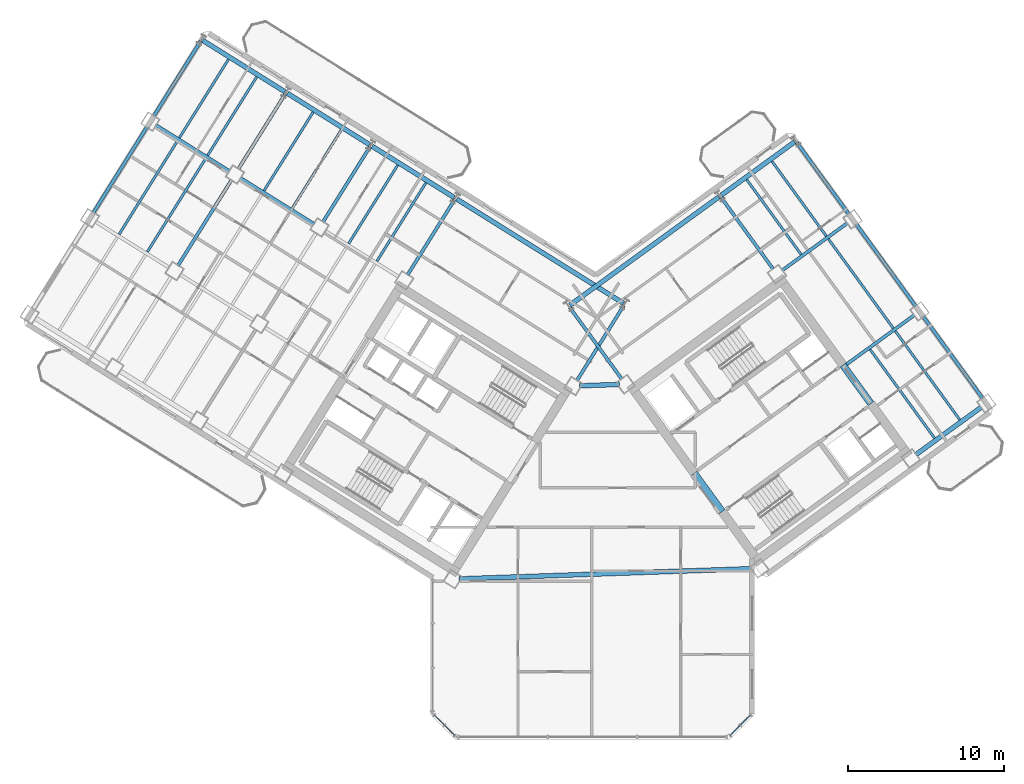
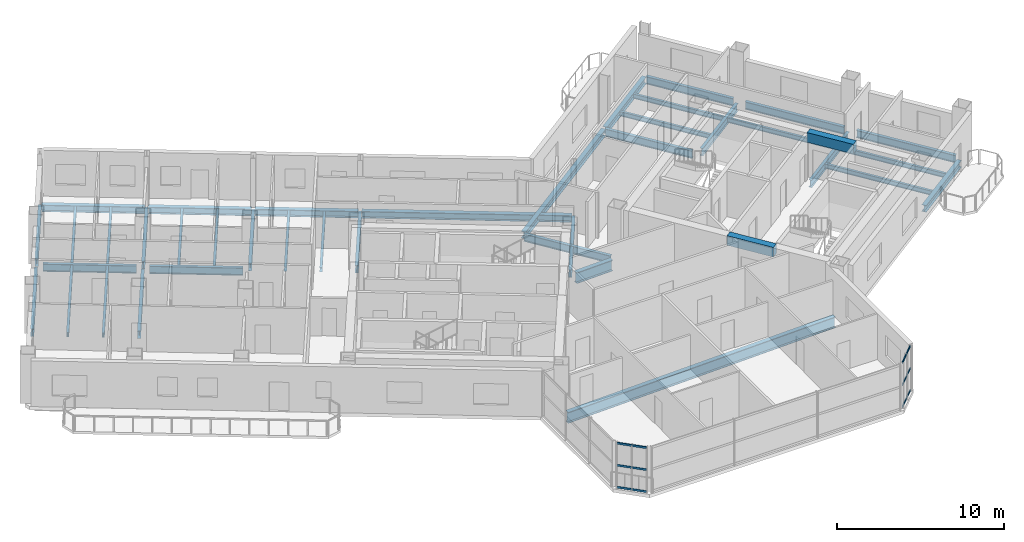
# One storey, part 7 of 20: 40 beams, 12 members, 2 elements without a shape of their own.
"""IFC4 building model written with IfcOpenShell, lengths in metres."""

from ifc_helpers import new_model, si_unit, direction, frame, origin, origin_2d, place, context, subcontext, project, spatial, rectangle, hollow_rectangle, i_section, extrude, source, transform, mapped, material, material_profile, profile_set, type_object, element, aggregate, save


model = new_model("IFC4")

# Units and contexts
model_context = context("Model", 3, precision=1e-05, world=origin(), true_north=direction((0.0, 1.0)))
body_context = subcontext(model_context, "Body", "Model", "MODEL_VIEW")
ifc_project = project(units=[si_unit("LENGTHUNIT", "METRE"), si_unit("AREAUNIT", "SQUARE_METRE"), si_unit("VOLUMEUNIT", "CUBIC_METRE"), si_unit("PLANEANGLEUNIT", "RADIAN"), si_unit("MASSUNIT", "GRAM", prefix="KILO")], contexts=[model_context])

# Site, building, storey
site_placement = place(None, origin())
site = spatial("IfcSite", under=ifc_project, at=site_placement, CompositionType="ELEMENT")
building_placement = place(site_placement, origin())
building = spatial("IfcBuilding", under=site, at=building_placement, Name="Tlacorven Tower", CompositionType="ELEMENT")
storey_placement = place(building_placement, frame((0.0, 0.0, 116.10009765625)))
storey = spatial("IfcBuildingStorey", under=building, at=storey_placement, Name="L29", CompositionType="ELEMENT", Elevation=116.10009765625)

# Beams
ifc_material_1 = material(Name="Concrete C60/75", Category="concrete")
ifc_material_profile_1 = material_profile(ifc_material_1, rectangle(XDim=0.449951171875, YDim=0.699951171875, at=origin_2d()), Name="RC 450X700")
ifc_profile_set_1 = profile_set([ifc_material_profile_1], Name="Concrete C60/75")
beam_type_1 = type_object("IfcBeamType", Name="BM-LNT-700", PredefinedType="LINTEL", material=ifc_profile_set_1)
shared_shape_1 = source(origin(), body_context, "Body", "SweptSolid", [
    extrude(rectangle(XDim=0.449951171875, YDim=0.699951171875, at=origin_2d()), origin(), (0.0, 0.0, 1.0), 3.050048828125),
])
for number, where, z_axis, x_axis, name in (
    (1, (50.318359375, 16.416015625, 3.0), (-0.587776590479, 0.80902328748, 0.0), (-0.80902328748, -0.587776590479, 0.0), "L29 E core coupling lintel beam E1"),
    (2, (59.856689453125, 23.345947265625, 3.0), (-0.587776590479, 0.80902328748, 0.0), (-0.80902328748, -0.587776590479, 0.0), "L29 E core coupling lintel beam E2"),
):
    element("IfcBeam", number, at=place(storey_placement, frame(where, z_axis=z_axis, x_axis=x_axis)), inside=storey, type_object=beam_type_1, Name=name, PredefinedType="LINTEL", context=body_context, shape_type="MappedRepresentation", body=[
        mapped(shared_shape_1, transform((0.0, 0.0, 0.0), scale=1.0)),
    ])
ifc_material_2 = material(Name="Steel S355J2", Category="steel")
ifc_material_profile_2 = material_profile(ifc_material_2, i_section(OverallWidth=0.300048828125, OverallDepth=0.489990234375, WebThickness=0.011962890625, FlangeThickness=0.02294921875, at=origin_2d()), Name="HEA 500")
ifc_profile_set_2 = profile_set([ifc_material_profile_2], Name="Steel S355J2")
beam_type_2 = type_object("IfcBeamType", Name="BM-SPN-500", PredefinedType="SPANDREL", material=ifc_profile_set_2)
shared_shape_2 = source(origin(), body_context, "Body", "SweptSolid", [
    extrude(i_section(OverallWidth=0.300048828125, OverallDepth=0.489990234375, WebThickness=0.011962890625, FlangeThickness=0.02294921875, at=origin_2d()), origin(), (0.0, 0.0, 1.0), 12.599853515625),
])
beam_1_placement = place(storey_placement, frame((43.983642578125, 29.779296875, -0.4951171875), z_axis=(-0.848045108756, 0.529924045043, 0.0), x_axis=(-0.529924045043, -0.848045108756, 0.0)))
element("IfcBeam", 3, at=beam_1_placement, inside=storey, type_object=beam_type_2, Name="L29 beam BM-L29-WL1-1", PredefinedType="SPANDREL", context=body_context, shape_type="MappedRepresentation", body=[
    mapped(shared_shape_2, transform((0.0, 0.0, 0.0), scale=1.0)),
])
shared_shape_3 = source(origin(), body_context, "Body", "SweptSolid", [
    extrude(i_section(OverallWidth=0.300048828125, OverallDepth=0.489990234375, WebThickness=0.011962890625, FlangeThickness=0.02294921875, at=origin_2d()), origin(), (0.0, 0.0, 1.0), 6.199951171875),
])
beam_2_placement = place(storey_placement, frame((33.128662109375, 36.562255859375, -0.4951171875), z_axis=(-0.848051394107, 0.529913986372, 0.0), x_axis=(-0.529913986372, -0.848051394107, 0.0)))
element("IfcBeam", 4, at=beam_2_placement, inside=storey, type_object=beam_type_2, Name="L29 beam BM-L29-WL1-3", PredefinedType="SPANDREL", context=body_context, shape_type="MappedRepresentation", body=[
    mapped(shared_shape_3, transform((0.0, 0.0, 0.0), scale=1.0)),
])
shared_shape_4 = source(origin(), body_context, "Body", "SweptSolid", [
    extrude(i_section(OverallWidth=0.300048828125, OverallDepth=0.489990234375, WebThickness=0.011962890625, FlangeThickness=0.02294921875, at=origin_2d()), origin(), (0.0, 0.0, 1.0), 11.800048828125),
])
beam_3_placement = place(storey_placement, frame((40.560302734375, 29.65966796875, -0.4951171875), z_axis=(0.80900977213, 0.587795192732, 0.0), x_axis=(-0.587795192732, 0.80900977213, 0.0)))
element("IfcBeam", 5, at=beam_3_placement, inside=storey, type_object=beam_type_2, Name="L29 beam BM-L29-EL4-1", PredefinedType="SPANDREL", context=body_context, shape_type="MappedRepresentation", body=[
    mapped(shared_shape_4, transform((0.0, 0.0, 0.0), scale=1.0)),
])
shared_shape_5 = source(origin(), body_context, "Body", "SweptSolid", [
    extrude(i_section(OverallWidth=0.300048828125, OverallDepth=0.489990234375, WebThickness=0.011962890625, FlangeThickness=0.02294921875, at=origin_2d()), origin(), (0.0, 0.0, 1.0), 5.800048828125),
])
beam_4_placement = place(storey_placement, frame((50.2685546875, 36.713134765625, -0.4951171875), z_axis=(0.809019944521, 0.587781191743, 0.0), x_axis=(-0.587781191743, 0.809019944521, 0.0)))
element("IfcBeam", 6, at=beam_4_placement, inside=storey, type_object=beam_type_2, Name="L29 beam BM-L29-EL4-3", PredefinedType="SPANDREL", context=body_context, shape_type="MappedRepresentation", body=[
    mapped(shared_shape_5, transform((0.0, 0.0, 0.0), scale=1.0)),
])
shared_shape_6 = source(origin(), body_context, "Body", "SweptSolid", [
    extrude(i_section(OverallWidth=0.300048828125, OverallDepth=0.489990234375, WebThickness=0.011962890625, FlangeThickness=0.02294921875, at=origin_2d()), origin(), (0.0, 0.0, 1.0), 6.2001953125),
])
for number, where, z_axis, x_axis, name in (
    (7, (27.701171875, 39.95361328125, -0.4951171875), (-0.84804475579, 0.5299246099, 0.0), (-0.5299246099, -0.84804475579, 0.0), "L29 beam BM-L29-WL1-4"),
    (8, (22.273681640625, 43.34521484375, -0.4951171875), (-0.848062451332, 0.529896290457, 0.0), (-0.529896290457, -0.848062451332, 0.0), "L29 beam BM-L29-WL1-5"),
):
    element("IfcBeam", number, at=place(storey_placement, frame(where, z_axis=z_axis, x_axis=x_axis)), inside=storey, type_object=beam_type_2, Name=name, PredefinedType="SPANDREL", context=body_context, shape_type="MappedRepresentation", body=[
        mapped(shared_shape_6, transform((0.0, 0.0, 0.0), scale=1.0)),
    ])
ifc_material_profile_3 = material_profile(ifc_material_2, i_section(OverallWidth=0.2099609375, OverallDepth=0.550048828125, WebThickness=0.010986328125, FlangeThickness=0.01708984375, at=origin_2d()), Name="IPE 550")
ifc_profile_set_3 = profile_set([ifc_material_profile_3], Name="Steel S355J2")
beam_type_3 = type_object("IfcBeamType", Name="BM-TWR-550", PredefinedType="BEAM", material=ifc_profile_set_3)
shared_shape_7 = source(origin(), body_context, "Body", "SweptSolid", [
    extrude(i_section(OverallWidth=0.2099609375, OverallDepth=0.550048828125, WebThickness=0.010986328125, FlangeThickness=0.01708984375, at=origin_2d()), origin(), (0.0, 0.0, 1.0), 5.599853515625),
])
for number, where, z_axis, x_axis, name in (
    (9, (24.1611328125, 34.854736328125, -0.525146484375), (-0.848047285686, 0.529920561254, 0.0), (-0.529920561254, -0.848047285686, 0.0), "L29 beam BM-L29-WL2-4"),
    (10, (18.733642578125, 38.246337890625, -0.525146484375), (-0.848047285686, 0.529920561254, 0.0), (-0.529920561254, -0.848047285686, 0.0), "L29 beam BM-L29-WL2-5"),
):
    element("IfcBeam", number, at=place(storey_placement, frame(where, z_axis=z_axis, x_axis=x_axis)), inside=storey, type_object=beam_type_3, Name=name, PredefinedType="BEAM", context=body_context, shape_type="MappedRepresentation", body=[
        mapped(shared_shape_7, transform((0.0, 0.0, 0.0), scale=1.0)),
    ])
shared_shape_8 = source(origin(), body_context, "Body", "SweptSolid", [
    extrude(i_section(OverallWidth=0.2099609375, OverallDepth=0.550048828125, WebThickness=0.010986328125, FlangeThickness=0.01708984375, at=origin_2d()), origin(), (0.0, 0.0, 1.0), 5.7001953125),
])
for number, where, z_axis, x_axis, name in (
    (11, (44.015380859375, 29.6416015625, -0.525146484375), (-0.529906537151, -0.848056048787, 0.0), (0.848056048787, -0.529906537151, 0.0), "L29 beam BM-L29-WT1-1"),
    (12, (33.160400390625, 36.424560546875, -0.525146484375), (-0.529906537151, -0.848056048787, 0.0), (0.848056048787, -0.529906537151, 0.0), "L29 beam BM-L29-WT3-1"),
    (13, (22.305419921875, 43.20751953125, -0.525146484375), (-0.529906537151, -0.848056048787, 0.0), (0.848056048787, -0.529906537151, 0.0), "L29 beam BM-L29-WT5-1"),
):
    element("IfcBeam", number, at=place(storey_placement, frame(where, z_axis=z_axis, x_axis=x_axis)), inside=storey, type_object=beam_type_3, Name=name, PredefinedType="BEAM", context=body_context, shape_type="MappedRepresentation", body=[
        mapped(shared_shape_8, transform((0.0, 0.0, 0.0), scale=1.0)),
    ])
shared_shape_9 = source(origin(), body_context, "Body", "SweptSolid", [
    extrude(i_section(OverallWidth=0.2099609375, OverallDepth=0.550048828125, WebThickness=0.010986328125, FlangeThickness=0.01708984375, at=origin_2d()), origin(), (0.0, 0.0, 1.0), 5.699951171875),
])
for number, where, z_axis, x_axis, name in (
    (14, (27.73291015625, 39.81591796875, -0.525146484375), (-0.529925785607, -0.848044021115, 0.0), (0.848044021115, -0.529925785607, 0.0), "L29 beam BM-L29-WT4-1"),
    (15, (16.8779296875, 46.598876953125, -0.525146484375), (-0.529925785607, -0.848044021115, 0.0), (0.848044021115, -0.529925785607, 0.0), "L29 beam BM-L29-WT6-1"),
    (16, (43.888671875, 24.90869140625, -0.525146484375), (-0.587787066966, 0.809015675935, 0.0), (-0.809015675935, -0.587787066966, 0.0), "L29 beam BM-L29-ET1-2"),
    (17, (53.596923828125, 31.962158203125, -0.525146484375), (-0.587787066966, 0.809015675935, 0.0), (-0.809015675935, -0.587787066966, 0.0), "L29 beam BM-L29-ET3-2"),
    (18, (58.450927734375, 35.48876953125, -0.525146484375), (-0.587787066966, 0.809015675935, 0.0), (-0.809015675935, -0.587787066966, 0.0), "L29 beam BM-L29-ET4-3"),
):
    element("IfcBeam", number, at=place(storey_placement, frame(where, z_axis=z_axis, x_axis=x_axis)), inside=storey, type_object=beam_type_3, Name=name, PredefinedType="BEAM", context=body_context, shape_type="MappedRepresentation", body=[
        mapped(shared_shape_9, transform((0.0, 0.0, 0.0), scale=1.0)),
    ])
shared_shape_10 = source(origin(), body_context, "Body", "SweptSolid", [
    extrude(i_section(OverallWidth=0.2099609375, OverallDepth=0.550048828125, WebThickness=0.010986328125, FlangeThickness=0.01708984375, at=origin_2d()), origin(), (0.0, 0.0, 1.0), 6.5),
])
for number, where, z_axis, x_axis, name in (
    (19, (13.433349609375, 41.086669921875, -0.525146484375), (-0.529894274829, -0.848063710757, 0.0), (0.848063710757, -0.529894274829, 0.0), "L29 beam BM-L29-WT6-2"),
    (20, (67.03271484375, 23.67724609375, -0.525146484375), (-0.587809847215, 0.808999124547, 0.0), (-0.808999124547, -0.587809847215, 0.0), "L29 beam BM-L29-ET4-1"),
    (21, (62.74169921875, 29.5830078125, -0.525146484375), (-0.587785264321, 0.809016985636, 0.0), (-0.809016985636, -0.587785264321, 0.0), "L29 beam BM-L29-ET4-2"),
):
    element("IfcBeam", number, at=place(storey_placement, frame(where, z_axis=z_axis, x_axis=x_axis)), inside=storey, type_object=beam_type_3, Name=name, PredefinedType="BEAM", context=body_context, shape_type="MappedRepresentation", body=[
        mapped(shared_shape_10, transform((0.0, 0.0, 0.0), scale=1.0)),
    ])
shared_shape_11 = source(origin(), body_context, "Body", "SweptSolid", [
    extrude(i_section(OverallWidth=0.2099609375, OverallDepth=0.550048828125, WebThickness=0.010986328125, FlangeThickness=0.01708984375, at=origin_2d()), origin(), (0.0, 0.0, 1.0), 6.499755859375),
])
beam_5_placement = place(storey_placement, frame((18.86083984375, 37.695068359375, -0.525146484375), z_axis=(-0.529911154058, -0.848053163902, 0.0), x_axis=(0.848053163902, -0.529911154058, 0.0)))
element("IfcBeam", 22, at=beam_5_placement, inside=storey, type_object=beam_type_3, Name="L29 beam BM-L29-WT5-2", PredefinedType="BEAM", context=body_context, shape_type="MappedRepresentation", body=[
    mapped(shared_shape_11, transform((0.0, 0.0, 0.0), scale=1.0)),
])
shared_shape_12 = source(origin(), body_context, "Body", "SweptSolid", [
    extrude(i_section(OverallWidth=0.300048828125, OverallDepth=0.489990234375, WebThickness=0.011962890625, FlangeThickness=0.02294921875, at=origin_2d()), origin(), (0.0, 0.0, 1.0), 5.199951171875),
])
beam_6_placement = place(storey_placement, frame((62.7373046875, 20.06201171875, -0.4951171875), z_axis=(0.809018206713, 0.587783583648, 0.0), x_axis=(-0.587783583648, 0.809018206713, 0.0)))
element("IfcBeam", 23, at=beam_6_placement, inside=storey, type_object=beam_type_2, Name="L29 beam BM-L29-EL1-3", PredefinedType="SPANDREL", context=body_context, shape_type="MappedRepresentation", body=[
    mapped(shared_shape_12, transform((0.0, 0.0, 0.0), scale=1.0)),
])
shared_shape_13 = source(origin(), body_context, "Body", "SweptSolid", [
    extrude(i_section(OverallWidth=0.2099609375, OverallDepth=0.550048828125, WebThickness=0.010986328125, FlangeThickness=0.01708984375, at=origin_2d()), origin(), (0.0, 0.0, 1.0), 5.56005859375),
])
beam_7_placement = place(storey_placement, frame((58.155029296875, 25.756103515625, -0.525146484375), z_axis=(0.809028396397, 0.587769558435, 0.0), x_axis=(-0.587769558435, 0.809028396397, 0.0)))
element("IfcBeam", 24, at=beam_7_placement, inside=storey, type_object=beam_type_3, Name="L29 beam BM-L29-EL2-3", PredefinedType="BEAM", context=body_context, shape_type="MappedRepresentation", body=[
    mapped(shared_shape_13, transform((0.0, 0.0, 0.0), scale=1.0)),
])
shared_shape_14 = source(origin(), body_context, "Body", "SweptSolid", [
    extrude(i_section(OverallWidth=0.2099609375, OverallDepth=0.550048828125, WebThickness=0.010986328125, FlangeThickness=0.01708984375, at=origin_2d()), origin(), (0.0, 0.0, 1.0), 5.2001953125),
])
beam_8_placement = place(storey_placement, frame((54.155517578125, 31.87353515625, -0.525146484375), z_axis=(0.80901210161, 0.587791986546, 0.0), x_axis=(-0.587791986546, 0.80901210161, 0.0)))
element("IfcBeam", 25, at=beam_8_placement, inside=storey, type_object=beam_type_3, Name="L29 beam BM-L29-EL3-3", PredefinedType="BEAM", context=body_context, shape_type="MappedRepresentation", body=[
    mapped(shared_shape_14, transform((0.0, 0.0, 0.0), scale=1.0)),
])
ifc_material_profile_4 = material_profile(ifc_material_2, i_section(OverallWidth=0.300048828125, OverallDepth=0.800048828125, WebThickness=0.017578125, FlangeThickness=0.032958984375, at=origin_2d()), Name="HEB 800")
ifc_profile_set_4 = profile_set([ifc_material_profile_4], Name="Steel S355J2")
beam_type_4 = type_object("IfcBeamType", Name="BM-POD-800", PredefinedType="BEAM", material=ifc_profile_set_4)
shared_shape_15 = source(origin(), body_context, "Body", "SweptSolid", [
    extrude(i_section(OverallWidth=0.300048828125, OverallDepth=0.800048828125, WebThickness=0.017578125, FlangeThickness=0.032958984375, at=origin_2d()), origin(), (0.0, 0.0, 1.0), 2.542724609375),
])
beam_9_placement = place(storey_placement, frame((41.1826171875, 24.482421875, -0.650146484375), z_axis=(0.999392467766, 0.034852480142, 0.0), x_axis=(-0.034852480142, 0.999392467766, 0.0)))
element("IfcBeam", 26, at=beam_9_placement, inside=storey, type_object=beam_type_4, Name="L29 Knuckle Link Girder 1", PredefinedType="BEAM", context=body_context, shape_type="MappedRepresentation", body=[
    mapped(shared_shape_15, transform((0.0, 0.0, 0.0), scale=1.0)),
])
shared_shape_16 = source(origin(), body_context, "Body", "SweptSolid", [
    extrude(i_section(OverallWidth=0.300048828125, OverallDepth=0.800048828125, WebThickness=0.017578125, FlangeThickness=0.032958984375, at=origin_2d()), origin(), (0.0, 0.0, 1.0), 18.871337890625),
])
beam_10_placement = place(storey_placement, frame((33.44580078125, 12.100830078125, -0.650146484375), z_axis=(0.999390659804, 0.034904284792, 0.0), x_axis=(-0.034904284792, 0.999390659804, 0.0)))
element("IfcBeam", 27, at=beam_10_placement, inside=storey, type_object=beam_type_4, Name="L29 Knuckle Link Girder 2", PredefinedType="BEAM", context=body_context, shape_type="MappedRepresentation", body=[
    mapped(shared_shape_16, transform((0.0, 0.0, 0.0), scale=1.0)),
])
ifc_material_profile_5 = material_profile(ifc_material_2, i_section(OverallWidth=0.159912109375, OverallDepth=0.330078125, WebThickness=0.007568359375, FlangeThickness=0.011474609375, at=origin_2d()), Name="IPE 330")
ifc_profile_set_5 = profile_set([ifc_material_profile_5], Name="Steel S355J2")
beam_type_5 = type_object("IfcBeamType", Name="BM-JST-330", PredefinedType="JOIST", material=ifc_profile_set_5)
shared_shape_17 = source(origin(), body_context, "Body", "SweptSolid", [
    extrude(i_section(OverallWidth=0.159912109375, OverallDepth=0.330078125, WebThickness=0.007568359375, FlangeThickness=0.011474609375, at=origin_2d()), origin(), (0.0, 0.0, 1.0), 5.93505859375),
])
for number, where, z_axis, x_axis, name in (
    (28, (31.322265625, 37.50830078125, -0.4150390625), (-0.529939778535, -0.848035277053, 0.0), (0.848035277053, -0.529939778535, 0.0), "L29 beam BM-L29-WJ3-1-1"),
    (29, (29.512939453125, 38.638916015625, -0.4150390625), (-0.529910194899, -0.848053763238, 0.0), (0.848053763238, -0.529910194899, 0.0), "L29 beam BM-L29-WJ3-1-2"),
    (30, (24.08544921875, 42.0302734375, -0.4150390625), (-0.529910194899, -0.848053763238, 0.0), (0.848053763238, -0.529910194899, 0.0), "L29 beam BM-L29-WJ4-1-2"),
    (31, (20.467041015625, 44.291259765625, -0.4150390625), (-0.529910194899, -0.848053763238, 0.0), (0.848053763238, -0.529910194899, 0.0), "L29 beam BM-L29-WJ5-1-1"),
    (32, (18.657958984375, 45.421875, -0.4150390625), (-0.529910194899, -0.848053763238, 0.0), (0.848053763238, -0.529910194899, 0.0), "L29 beam BM-L29-WJ5-1-2"),
    (33, (55.38525390625, 32.903076171875, -0.4150390625), (-0.58778762431, 0.809015270998, 0.0), (-0.809015270998, -0.58778762431, 0.0), "L29 beam BM-L29-EJ3-3-1"),
    (34, (57.00341796875, 34.07861328125, -0.4150390625), (-0.58778762431, 0.809015270998, 0.0), (-0.809015270998, -0.58778762431, 0.0), "L29 beam BM-L29-EJ3-3-2"),
):
    element("IfcBeam", number, at=place(storey_placement, frame(where, z_axis=z_axis, x_axis=x_axis)), inside=storey, type_object=beam_type_5, Name=name, PredefinedType="JOIST", context=body_context, shape_type="MappedRepresentation", body=[
        mapped(shared_shape_17, transform((0.0, 0.0, 0.0), scale=1.0)),
    ])
shared_shape_18 = source(origin(), body_context, "Body", "SweptSolid", [
    extrude(i_section(OverallWidth=0.159912109375, OverallDepth=0.330078125, WebThickness=0.007568359375, FlangeThickness=0.011474609375, at=origin_2d()), origin(), (0.0, 0.0, 1.0), 7.080078125),
])
for number, where, z_axis, x_axis, name in (
    (35, (17.20556640625, 39.071533203125, -0.4150390625), (-0.529933847046, -0.848038983629, 0.0), (0.848038983629, -0.529933847046, 0.0), "L29 beam BM-L29-WJ5-2-1"),
    (36, (15.396240234375, 40.2021484375, -0.4150390625), (-0.529893550998, -0.848064163027, 0.0), (0.848064163027, -0.529893550998, 0.0), "L29 beam BM-L29-WJ5-2-2"),
    (37, (61.294189453125, 28.1728515625, -0.4150390625), (-0.587798472288, 0.809007389321, 0.0), (-0.809007389321, -0.587798472288, 0.0), "L29 beam BM-L29-EJ3-2-2"),
):
    element("IfcBeam", number, at=place(storey_placement, frame(where, z_axis=z_axis, x_axis=x_axis)), inside=storey, type_object=beam_type_5, Name=name, PredefinedType="JOIST", context=body_context, shape_type="MappedRepresentation", body=[
        mapped(shared_shape_18, transform((0.0, 0.0, 0.0), scale=1.0)),
    ])
shared_shape_19 = source(origin(), body_context, "Body", "SweptSolid", [
    extrude(i_section(OverallWidth=0.159912109375, OverallDepth=0.330078125, WebThickness=0.007568359375, FlangeThickness=0.011474609375, at=origin_2d()), origin(), (0.0, 0.0, 1.0), 7.03515625),
])
beam_11_placement = place(storey_placement, frame((63.9404296875, 21.127685546875, -0.4150390625), z_axis=(-0.58776512903, 0.809031614399, 0.0), x_axis=(-0.809031614399, -0.58776512903, 0.0)))
element("IfcBeam", 38, at=beam_11_placement, inside=storey, type_object=beam_type_5, Name="L29 beam BM-L29-EJ3-1-1", PredefinedType="JOIST", context=body_context, shape_type="MappedRepresentation", body=[
    mapped(shared_shape_19, transform((0.0, 0.0, 0.0), scale=1.0)),
])
shared_shape_20 = source(origin(), body_context, "Body", "SweptSolid", [
    extrude(i_section(OverallWidth=0.159912109375, OverallDepth=0.330078125, WebThickness=0.007568359375, FlangeThickness=0.011474609375, at=origin_2d()), origin(), (0.0, 0.0, 1.0), 5.934814453125),
])
beam_12_placement = place(storey_placement, frame((25.894775390625, 40.899658203125, -0.4150390625), z_axis=(-0.529958265352, -0.848023724306, 0.0), x_axis=(0.848023724306, -0.529958265352, 0.0)))
element("IfcBeam", 39, at=beam_12_placement, inside=storey, type_object=beam_type_5, Name="L29 beam BM-L29-WJ4-1-1", PredefinedType="JOIST", context=body_context, shape_type="MappedRepresentation", body=[
    mapped(shared_shape_20, transform((0.0, 0.0, 0.0), scale=1.0)),
])
shared_shape_21 = source(origin(), body_context, "Body", "SweptSolid", [
    extrude(i_section(OverallWidth=0.159912109375, OverallDepth=0.330078125, WebThickness=0.007568359375, FlangeThickness=0.011474609375, at=origin_2d()), origin(), (0.0, 0.0, 1.0), 7.034912109375),
])
beam_13_placement = place(storey_placement, frame((65.55859375, 22.303466796875, -0.4150390625), z_axis=(-0.587781631373, 0.809019625115, 0.0), x_axis=(-0.809019625115, -0.587781631373, 0.0)))
element("IfcBeam", 40, at=beam_13_placement, inside=storey, type_object=beam_type_5, Name="L29 beam BM-L29-EJ3-1-2", PredefinedType="JOIST", context=body_context, shape_type="MappedRepresentation", body=[
    mapped(shared_shape_21, transform((0.0, 0.0, 0.0), scale=1.0)),
])

# Curtain wall, members
ifc_material_3 = material(Name="Dark solar low-E double glazing in aluminium frame", Category="aluminium")
curtain_wall_type = type_object("IfcCurtainWallType", Name="CW-TWR-MID", PredefinedType="USERDEFINED", material=ifc_material_3)
curtain_wall_1_placement = place(storey_placement, origin())
curtain_wall_1 = element("IfcCurtainWall", 41, at=curtain_wall_1_placement, inside=storey, type_object=curtain_wall_type, Name="L29 CW-TWR-MID Curtain Wall 143", ObjectType="UNITISED CURTAIN WALL", PredefinedType="USERDEFINED")
ifc_material_4 = material(Name="Aluminium 6063-T6 anodised", Category="aluminium")
ifc_material_profile_6 = material_profile(ifc_material_4, hollow_rectangle(XDim=0.06005859375, YDim=0.139892578125, WallThickness=0.00390625, at=origin_2d()), Name="ALU TRANSOM 60X140")
ifc_profile_set_6 = profile_set([ifc_material_profile_6], Name="Aluminium 6063-T6 anodised")
member_type = type_object("IfcMemberType", Name="CWT-02", PredefinedType="USERDEFINED", material=ifc_profile_set_6)
shared_shape_22 = source(origin(), body_context, "Body", "SweptSolid", [
    extrude(hollow_rectangle(XDim=0.06005859375, YDim=0.139892578125, WallThickness=0.00390625, at=origin_2d()), origin(), (0.0, 0.0, 1.0), 0.8916015625),
])
member_1_placement = place(storey_placement, frame((52.1318359375, 3.358154296875, 0.06982421875), z_axis=(-0.706969864397, -0.70724367147, 0.0), x_axis=(0.70724367147, -0.706969864397, 0.0)))
member_1 = element("IfcMember", 42, at=member_1_placement, type_object=member_type, Name="CW-L29-143 Transom 1", ObjectType="TRANSOM", PredefinedType="USERDEFINED", context=body_context, shape_type="MappedRepresentation", body=[
    mapped(shared_shape_22, transform((0.0, 0.0, 0.0), scale=1.0)),
])
member_2_placement = place(storey_placement, frame((52.1318359375, 3.358154296875, 1.6748046875), z_axis=(-0.706969864397, -0.70724367147, 0.0), x_axis=(0.70724367147, -0.706969864397, 0.0)))
member_2 = element("IfcMember", 43, at=member_2_placement, type_object=member_type, Name="CW-L29-143 Transom 2", ObjectType="TRANSOM", PredefinedType="USERDEFINED", context=body_context, shape_type="MappedRepresentation", body=[
    mapped(shared_shape_22, transform((0.0, 0.0, 0.0), scale=1.0)),
])
member_3_placement = place(storey_placement, frame((52.1318359375, 3.358154296875, 3.27978515625), z_axis=(-0.706969864397, -0.70724367147, 0.0), x_axis=(0.70724367147, -0.706969864397, 0.0)))
member_3 = element("IfcMember", 44, at=member_3_placement, type_object=member_type, Name="CW-L29-143 Transom 3", ObjectType="TRANSOM", PredefinedType="USERDEFINED", context=body_context, shape_type="MappedRepresentation", body=[
    mapped(shared_shape_22, transform((0.0, 0.0, 0.0), scale=1.0)),
])

curtain_wall_2_placement = place(storey_placement, origin())
curtain_wall_2 = element("IfcCurtainWall", 45, at=curtain_wall_2_placement, inside=storey, type_object=curtain_wall_type, Name="L29 CW-TWR-MID Curtain Wall 145", ObjectType="UNITISED CURTAIN WALL", PredefinedType="USERDEFINED")
member_4_placement = place(storey_placement, frame((32.49853515625, 2.7275390625, 0.06982421875), z_axis=(-0.706969864397, 0.70724367147, 0.0), x_axis=(-0.70724367147, -0.706969864397, 0.0)))
member_4 = element("IfcMember", 46, at=member_4_placement, type_object=member_type, Name="CW-L29-145 Transom 4", ObjectType="TRANSOM", PredefinedType="USERDEFINED", context=body_context, shape_type="MappedRepresentation", body=[
    mapped(shared_shape_22, transform((0.0, 0.0, 0.0), scale=1.0)),
])
member_5_placement = place(storey_placement, frame((32.49853515625, 2.7275390625, 1.6748046875), z_axis=(-0.706969864397, 0.70724367147, 0.0), x_axis=(-0.70724367147, -0.706969864397, 0.0)))
member_5 = element("IfcMember", 47, at=member_5_placement, type_object=member_type, Name="CW-L29-145 Transom 5", ObjectType="TRANSOM", PredefinedType="USERDEFINED", context=body_context, shape_type="MappedRepresentation", body=[
    mapped(shared_shape_22, transform((0.0, 0.0, 0.0), scale=1.0)),
])
member_6_placement = place(storey_placement, frame((32.49853515625, 2.7275390625, 3.27978515625), z_axis=(-0.706969864397, 0.70724367147, 0.0), x_axis=(-0.70724367147, -0.706969864397, 0.0)))
member_6 = element("IfcMember", 48, at=member_6_placement, type_object=member_type, Name="CW-L29-145 Transom 6", ObjectType="TRANSOM", PredefinedType="USERDEFINED", context=body_context, shape_type="MappedRepresentation", body=[
    mapped(shared_shape_22, transform((0.0, 0.0, 0.0), scale=1.0)),
])

# Member
shared_shape_23 = source(origin(), body_context, "Body", "SweptSolid", [
    extrude(hollow_rectangle(XDim=0.06005859375, YDim=0.139892578125, WallThickness=0.00390625, at=origin_2d()), origin(), (0.0, 0.0, 1.0), 0.891845703125),
])
member_7_placement = place(storey_placement, frame((51.472412109375, 2.69873046875, 0.06982421875), z_axis=(-0.707106781187, -0.707106781187, 0.0), x_axis=(0.707106781187, -0.707106781187, 0.0)))
member_7 = element("IfcMember", 49, at=member_7_placement, type_object=member_type, Name="CW-L29-143 Transom 4", ObjectType="TRANSOM", PredefinedType="USERDEFINED", context=body_context, shape_type="MappedRepresentation", body=[
    mapped(shared_shape_23, transform((0.0, 0.0, 0.0), scale=1.0)),
])

member_8_placement = place(storey_placement, frame((51.472412109375, 2.69873046875, 1.6748046875), z_axis=(-0.707106781187, -0.707106781187, 0.0), x_axis=(0.707106781187, -0.707106781187, 0.0)))
member_8 = element("IfcMember", 50, at=member_8_placement, type_object=member_type, Name="CW-L29-143 Transom 5", ObjectType="TRANSOM", PredefinedType="USERDEFINED", context=body_context, shape_type="MappedRepresentation", body=[
    mapped(shared_shape_23, transform((0.0, 0.0, 0.0), scale=1.0)),
])

member_9_placement = place(storey_placement, frame((51.472412109375, 2.69873046875, 3.27978515625), z_axis=(-0.707106781187, -0.707106781187, 0.0), x_axis=(0.707106781187, -0.707106781187, 0.0)))
member_9 = element("IfcMember", 51, at=member_9_placement, type_object=member_type, Name="CW-L29-143 Transom 6", ObjectType="TRANSOM", PredefinedType="USERDEFINED", context=body_context, shape_type="MappedRepresentation", body=[
    mapped(shared_shape_23, transform((0.0, 0.0, 0.0), scale=1.0)),
])

aggregate(curtain_wall_1, [member_1, member_2, member_3, member_7, member_8, member_9])

member_10_placement = place(storey_placement, frame((33.158203125, 2.068115234375, 0.06982421875), z_axis=(-0.707106781187, 0.707106781187, 0.0), x_axis=(-0.707106781187, -0.707106781187, 0.0)))
member_10 = element("IfcMember", 52, at=member_10_placement, type_object=member_type, Name="CW-L29-145 Transom 1", ObjectType="TRANSOM", PredefinedType="USERDEFINED", context=body_context, shape_type="MappedRepresentation", body=[
    mapped(shared_shape_23, transform((0.0, 0.0, 0.0), scale=1.0)),
])

member_11_placement = place(storey_placement, frame((33.158203125, 2.068115234375, 1.6748046875), z_axis=(-0.707106781187, 0.707106781187, 0.0), x_axis=(-0.707106781187, -0.707106781187, 0.0)))
member_11 = element("IfcMember", 53, at=member_11_placement, type_object=member_type, Name="CW-L29-145 Transom 2", ObjectType="TRANSOM", PredefinedType="USERDEFINED", context=body_context, shape_type="MappedRepresentation", body=[
    mapped(shared_shape_23, transform((0.0, 0.0, 0.0), scale=1.0)),
])

member_12_placement = place(storey_placement, frame((33.158203125, 2.068115234375, 3.27978515625), z_axis=(-0.707106781187, 0.707106781187, 0.0), x_axis=(-0.707106781187, -0.707106781187, 0.0)))
member_12 = element("IfcMember", 54, at=member_12_placement, type_object=member_type, Name="CW-L29-145 Transom 3", ObjectType="TRANSOM", PredefinedType="USERDEFINED", context=body_context, shape_type="MappedRepresentation", body=[
    mapped(shared_shape_23, transform((0.0, 0.0, 0.0), scale=1.0)),
])

aggregate(curtain_wall_2, [member_10, member_11, member_12, member_4, member_5, member_6])

save(model, "model.ifc")
